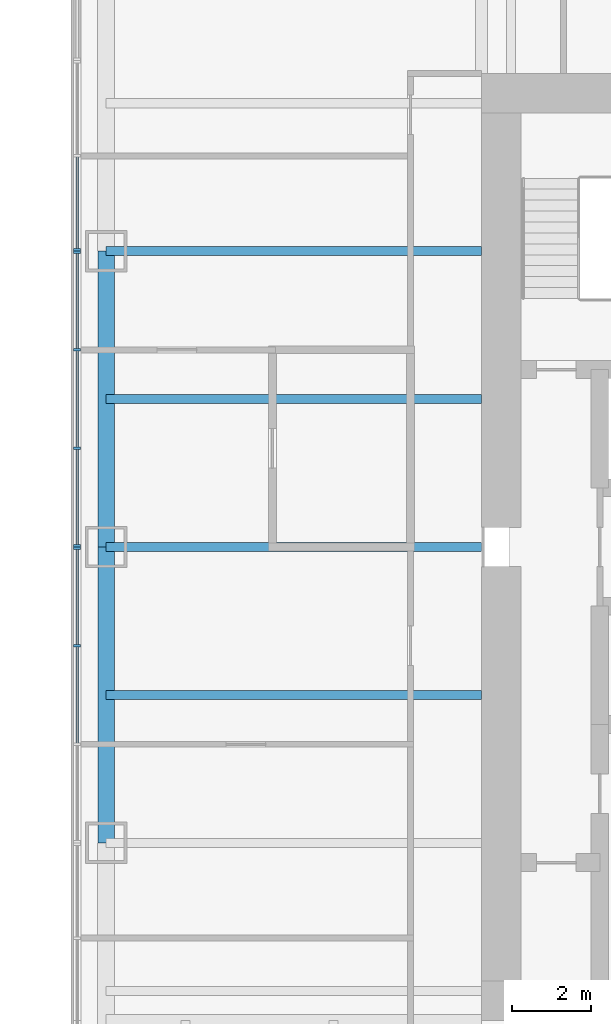
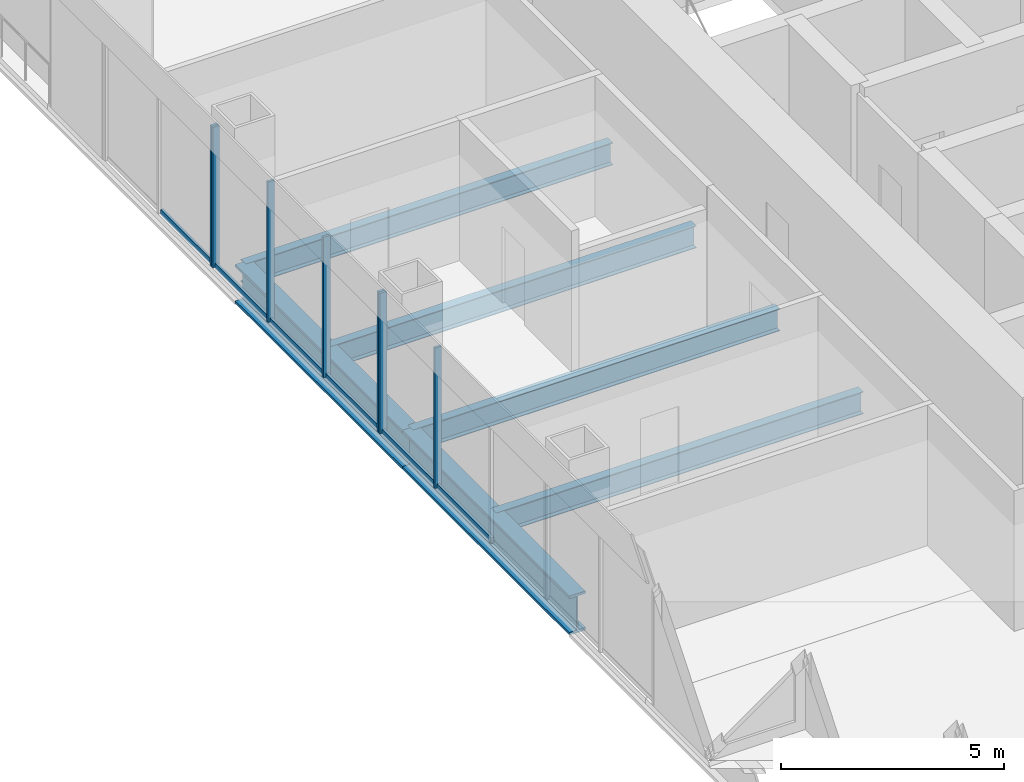
# One storey, part 3 of 13: 13 members, 6 beams, 3 elements without a shape of their own.
"""IFC4 building model written with IfcOpenShell, lengths in metres."""

from ifc_helpers import new_model, si_unit, direction, frame, origin, origin_2d, place, context, subcontext, project, spatial, rectangle, i_section, extrude, material, material_profile, profile_set, type_object, element, aggregate, save


model = new_model("IFC4")

# Units and contexts
model_context = context("Model", 3, precision=1e-05, world=origin(), true_north=direction((0.0, 1.0)))
body_context = subcontext(model_context, "Body", "Model", "MODEL_VIEW")
ifc_project = project(units=[si_unit("LENGTHUNIT", "METRE"), si_unit("AREAUNIT", "SQUARE_METRE"), si_unit("VOLUMEUNIT", "CUBIC_METRE"), si_unit("PLANEANGLEUNIT", "RADIAN"), si_unit("MASSUNIT", "GRAM", prefix="KILO")], contexts=[model_context])

# Site, building, storey
site_placement = place(None, origin())
site = spatial("IfcSite", under=ifc_project, at=site_placement, CompositionType="ELEMENT")
building_placement = place(site_placement, origin())
building = spatial("IfcBuilding", under=site, at=building_placement, Name="Tarangal Relay Tower", CompositionType="ELEMENT")
storey_placement = place(building_placement, frame((0.0, 0.0, 181.89990234375)))
storey = spatial("IfcBuildingStorey", under=building, at=storey_placement, Name="L37", CompositionType="ELEMENT", Elevation=181.89990234375)

# Beams
ifc_material_1 = material(Name="Steel ASTM A992", Category="steel")
ifc_material_profile_1 = material_profile(ifc_material_1, i_section(OverallWidth=0.41650390625, OverallDepth=1.0693359375, WebThickness=0.0390625, FlangeThickness=0.070068359375, at=origin_2d()), Name="W40X503")
ifc_profile_set_1 = profile_set([ifc_material_profile_1], Name="Steel ASTM A992")
beam_type_1 = type_object("IfcBeamType", Name="Edge girder W40X503", PredefinedType="SPANDREL", material=ifc_profile_set_1)
for number, where, z_axis, x_axis, name in (
    (1, (-21.514892578125, -7.5, -0.6845703125), (0.0, 1.0, 0.0), (-1.0, 0.0, 0.0), "Edge girder EG8 W L37"),
    (2, (-21.514892578125, 0.0, -0.6845703125), (0.0, 1.0, 0.0), (-1.0, 0.0, 0.0), "Edge girder EG8 W L37"),
):
    element("IfcBeam", number, at=place(storey_placement, frame(where, z_axis=z_axis, x_axis=x_axis)), inside=storey, type_object=beam_type_1, Name=name, PredefinedType="SPANDREL", context=body_context, shape_type="SweptSolid", body=[
        extrude(i_section(OverallWidth=0.41650390625, OverallDepth=1.0693359375, WebThickness=0.0390625, FlangeThickness=0.070068359375, at=origin_2d()), origin(), (0.0, 0.0, 1.0), 7.5),
    ])
ifc_material_profile_2 = material_profile(ifc_material_1, i_section(OverallWidth=0.22900390625, OverallDepth=0.612060546875, WebThickness=0.011962890625, FlangeThickness=0.01953125, at=origin_2d()), Name="W24X84")
ifc_profile_set_2 = profile_set([ifc_material_profile_2], Name="Steel ASTM A992")
beam_type_2 = type_object("IfcBeamType", Name="Floor beam W24X84", PredefinedType="BEAM", material=ifc_profile_set_2)
for number, where, z_axis, x_axis, name in (
    (3, (-12.0, -3.75, -0.455810546875), (-1.0, 0.0, 0.0), (0.0, -1.0, 0.0), "Floor beam RB12 W L37"),
    (4, (-12.0, 0.0, -0.455810546875), (-1.0, 0.0, 0.0), (0.0, -1.0, 0.0), "Floor beam RB12 W L37"),
    (5, (-12.0, 3.75, -0.455810546875), (-1.0, 0.0, 0.0), (0.0, -1.0, 0.0), "Floor beam RB12 W L37"),
    (6, (-12.0, 7.5, -0.455810546875), (-1.0, 0.0, 0.0), (0.0, -1.0, 0.0), "Floor beam RB12 W L37"),
):
    element("IfcBeam", number, at=place(storey_placement, frame(where, z_axis=z_axis, x_axis=x_axis)), inside=storey, type_object=beam_type_2, Name=name, PredefinedType="BEAM", context=body_context, shape_type="SweptSolid", body=[
        extrude(i_section(OverallWidth=0.22900390625, OverallDepth=0.612060546875, WebThickness=0.011962890625, FlangeThickness=0.01953125, at=origin_2d()), origin(), (0.0, 0.0, 1.0), 9.514892578125),
    ])

# Curtain wall, members
ifc_material_2 = material(Name="Unitised curtain wall, dark glass and black aluminium", Category="aluminium")
curtain_wall_type = type_object("IfcCurtainWallType", Name="Curtain wall CW-A", PredefinedType="USERDEFINED", material=ifc_material_2)
curtain_wall_1_placement = place(storey_placement, origin())
curtain_wall_1 = element("IfcCurtainWall", 7, at=curtain_wall_1_placement, inside=storey, type_object=curtain_wall_type, Name="Curtain wall CW-A W facade L37", ObjectType="UNITISED CURTAIN WALL", PredefinedType="USERDEFINED")
ifc_material_3 = material(Name="Black anodised aluminium mullion", Category="aluminium")
ifc_material_profile_3 = material_profile(ifc_material_3, rectangle(XDim=0.175048828125, YDim=0.06494140625, at=origin_2d()), Name="CW-AM 65X175")
ifc_profile_set_3 = profile_set([ifc_material_profile_3], Name="Black anodised aluminium mullion")
member_type_1 = type_object("IfcMemberType", Name="Mullion CW-A 65 x 175", PredefinedType="MULLION", material=ifc_profile_set_3)
member_1_placement = place(storey_placement, frame((-22.25, -2.5, 0.0), z_axis=(0.0, 0.0, 1.0), x_axis=(-1.0, 0.0, 0.0)))
member_1 = element("IfcMember", 8, at=member_1_placement, type_object=member_type_1, Name="CW-A mullion 3", PredefinedType="MULLION", context=body_context, shape_type="SweptSolid", body=[
    extrude(rectangle(XDim=0.175048828125, YDim=0.06494140625, at=origin_2d()), origin(), (0.0, 0.0, 1.0), 3.85009765625),
])
member_2_placement = place(storey_placement, frame((-22.25, -0.032470703125, 0.0), z_axis=(0.0, 0.0, 1.0), x_axis=(-1.0, 0.0, 0.0)))
member_2 = element("IfcMember", 9, at=member_2_placement, type_object=member_type_1, Name="CW-A mullion 4", PredefinedType="MULLION", context=body_context, shape_type="SweptSolid", body=[
    extrude(rectangle(XDim=0.175048828125, YDim=0.06494140625, at=origin_2d()), origin(), (0.0, 0.0, 1.0), 3.85009765625),
])

curtain_wall_2_placement = place(storey_placement, origin())
curtain_wall_2 = element("IfcCurtainWall", 10, at=curtain_wall_2_placement, inside=storey, type_object=curtain_wall_type, Name="Curtain wall CW-A W facade L37", ObjectType="UNITISED CURTAIN WALL", PredefinedType="USERDEFINED")
member_3_placement = place(storey_placement, frame((-22.25, 0.032470703125, 0.0), z_axis=(0.0, 0.0, 1.0), x_axis=(-1.0, 0.0, 0.0)))
member_3 = element("IfcMember", 11, at=member_3_placement, type_object=member_type_1, Name="CW-A mullion 1", PredefinedType="MULLION", context=body_context, shape_type="SweptSolid", body=[
    extrude(rectangle(XDim=0.175048828125, YDim=0.06494140625, at=origin_2d()), origin(), (0.0, 0.0, 1.0), 3.85009765625),
])
member_4_placement = place(storey_placement, frame((-22.25, 2.5, 0.0), z_axis=(0.0, 0.0, 1.0), x_axis=(-1.0, 0.0, 0.0)))
member_4 = element("IfcMember", 12, at=member_4_placement, type_object=member_type_1, Name="CW-A mullion 2", PredefinedType="MULLION", context=body_context, shape_type="SweptSolid", body=[
    extrude(rectangle(XDim=0.175048828125, YDim=0.06494140625, at=origin_2d()), origin(), (0.0, 0.0, 1.0), 3.85009765625),
])
member_5_placement = place(storey_placement, frame((-22.25, 5.0, 0.0), z_axis=(0.0, 0.0, 1.0), x_axis=(-1.0, 0.0, 0.0)))
member_5 = element("IfcMember", 13, at=member_5_placement, type_object=member_type_1, Name="CW-A mullion 3", PredefinedType="MULLION", context=body_context, shape_type="SweptSolid", body=[
    extrude(rectangle(XDim=0.175048828125, YDim=0.06494140625, at=origin_2d()), origin(), (0.0, 0.0, 1.0), 3.85009765625),
])
member_6_placement = place(storey_placement, frame((-22.25, 7.467529296875, 0.0), z_axis=(0.0, 0.0, 1.0), x_axis=(-1.0, 0.0, 0.0)))
member_6 = element("IfcMember", 14, at=member_6_placement, type_object=member_type_1, Name="CW-A mullion 4", PredefinedType="MULLION", context=body_context, shape_type="SweptSolid", body=[
    extrude(rectangle(XDim=0.175048828125, YDim=0.06494140625, at=origin_2d()), origin(), (0.0, 0.0, 1.0), 3.85009765625),
])

# Curtain wall, member
curtain_wall_3_placement = place(storey_placement, origin())
curtain_wall_3 = element("IfcCurtainWall", 15, at=curtain_wall_3_placement, inside=storey, type_object=curtain_wall_type, Name="Curtain wall CW-A W facade L37", ObjectType="UNITISED CURTAIN WALL", PredefinedType="USERDEFINED")
member_7_placement = place(storey_placement, frame((-22.25, 7.532470703125, 0.0), z_axis=(0.0, 0.0, 1.0), x_axis=(-1.0, 0.0, 0.0)))
member_7 = element("IfcMember", 16, at=member_7_placement, type_object=member_type_1, Name="CW-A mullion 1", PredefinedType="MULLION", context=body_context, shape_type="SweptSolid", body=[
    extrude(rectangle(XDim=0.175048828125, YDim=0.06494140625, at=origin_2d()), origin(), (0.0, 0.0, 1.0), 3.85009765625),
])

# Member
ifc_material_4 = material(Name="Black anodised aluminium transom", Category="aluminium")
ifc_material_profile_4 = material_profile(ifc_material_4, rectangle(XDim=0.06494140625, YDim=0.14990234375, at=origin_2d()), Name="CW-AT 65X150")
ifc_profile_set_4 = profile_set([ifc_material_profile_4], Name="Black anodised aluminium transom")
member_type_2 = type_object("IfcMemberType", Name="Transom CW-A 65 x 150", PredefinedType="USERDEFINED", material=ifc_profile_set_4)
member_8_placement = place(storey_placement, frame((-22.25, -4.967529296875, 0.03271484375), z_axis=(0.0, 1.0, 0.0), x_axis=(-1.0, 0.0, 0.0)))
member_8 = element("IfcMember", 17, at=member_8_placement, type_object=member_type_2, Name="CW-A transom 2.1", ObjectType="TRANSOM", PredefinedType="USERDEFINED", context=body_context, shape_type="SweptSolid", body=[
    extrude(rectangle(XDim=0.06494140625, YDim=0.14990234375, at=origin_2d()), origin(), (0.0, 0.0, 1.0), 2.43505859375),
])

member_9_placement = place(storey_placement, frame((-22.25, -2.467529296875, 0.03271484375), z_axis=(0.0, 1.0, 0.0), x_axis=(-1.0, 0.0, 0.0)))
member_9 = element("IfcMember", 18, at=member_9_placement, type_object=member_type_2, Name="CW-A transom 3.1", ObjectType="TRANSOM", PredefinedType="USERDEFINED", context=body_context, shape_type="SweptSolid", body=[
    extrude(rectangle(XDim=0.06494140625, YDim=0.14990234375, at=origin_2d()), origin(), (0.0, 0.0, 1.0), 2.402587890625),
])

aggregate(curtain_wall_1, [member_1, member_2, member_8, member_9])

member_10_placement = place(storey_placement, frame((-22.25, 0.06494140625, 0.03271484375), z_axis=(0.0, 1.0, 0.0), x_axis=(-1.0, 0.0, 0.0)))
member_10 = element("IfcMember", 19, at=member_10_placement, type_object=member_type_2, Name="CW-A transom 1.1", ObjectType="TRANSOM", PredefinedType="USERDEFINED", context=body_context, shape_type="SweptSolid", body=[
    extrude(rectangle(XDim=0.06494140625, YDim=0.14990234375, at=origin_2d()), origin(), (0.0, 0.0, 1.0), 2.402587890625),
])

member_11_placement = place(storey_placement, frame((-22.25, 2.532470703125, 0.03271484375), z_axis=(0.0, 1.0, 0.0), x_axis=(-1.0, 0.0, 0.0)))
member_11 = element("IfcMember", 20, at=member_11_placement, type_object=member_type_2, Name="CW-A transom 2.1", ObjectType="TRANSOM", PredefinedType="USERDEFINED", context=body_context, shape_type="SweptSolid", body=[
    extrude(rectangle(XDim=0.06494140625, YDim=0.14990234375, at=origin_2d()), origin(), (0.0, 0.0, 1.0), 2.43505859375),
])

member_12_placement = place(storey_placement, frame((-22.25, 5.032470703125, 0.03271484375), z_axis=(0.0, 1.0, 0.0), x_axis=(-1.0, 0.0, 0.0)))
member_12 = element("IfcMember", 21, at=member_12_placement, type_object=member_type_2, Name="CW-A transom 3.1", ObjectType="TRANSOM", PredefinedType="USERDEFINED", context=body_context, shape_type="SweptSolid", body=[
    extrude(rectangle(XDim=0.06494140625, YDim=0.14990234375, at=origin_2d()), origin(), (0.0, 0.0, 1.0), 2.402587890625),
])

aggregate(curtain_wall_2, [member_3, member_4, member_5, member_6, member_10, member_11, member_12])

member_13_placement = place(storey_placement, frame((-22.25, 7.56494140625, 0.03271484375), z_axis=(0.0, 1.0, 0.0), x_axis=(-1.0, 0.0, 0.0)))
member_13 = element("IfcMember", 22, at=member_13_placement, type_object=member_type_2, Name="CW-A transom 1.1", ObjectType="TRANSOM", PredefinedType="USERDEFINED", context=body_context, shape_type="SweptSolid", body=[
    extrude(rectangle(XDim=0.06494140625, YDim=0.14990234375, at=origin_2d()), origin(), (0.0, 0.0, 1.0), 2.319091796875),
])

aggregate(curtain_wall_3, [member_7, member_13])

save(model, "model.ifc")
